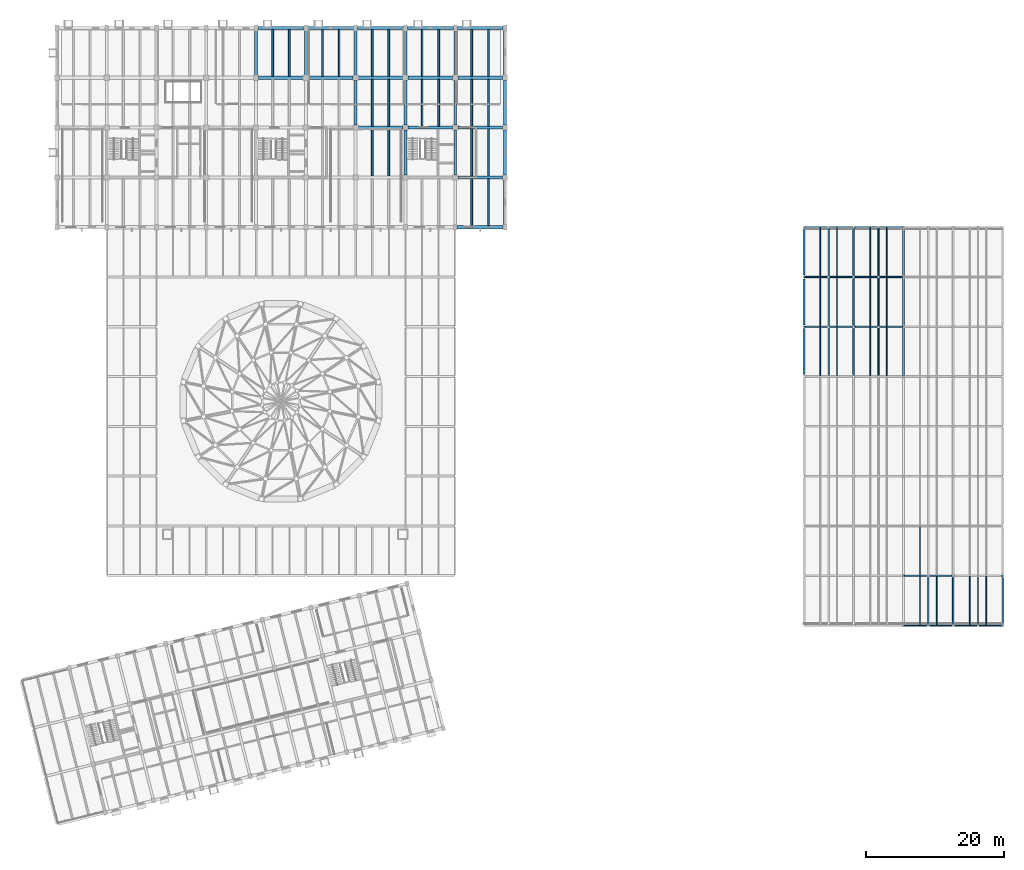
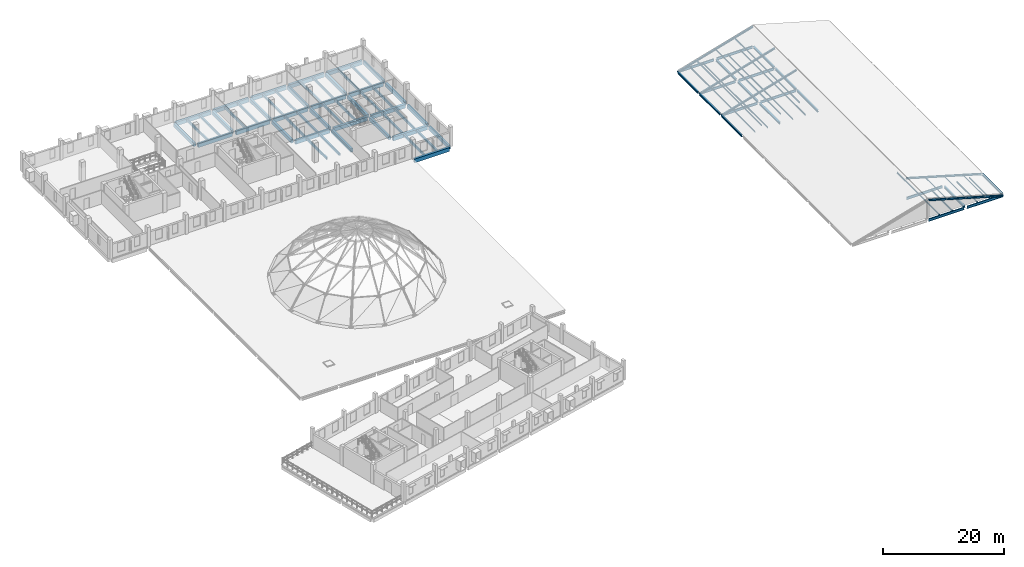
# One storey, part 12 of 32: 88 beams, 17 members.
"""IFC4 building model written with IfcOpenShell, lengths in metres."""

from ifc_helpers import new_model, si_unit, direction, frame, origin, origin_2d, place, context, subcontext, project, spatial, rectangle, hollow_rectangle, i_section, extrude, material, material_profile, profile_set, type_object, element, save


model = new_model("IFC4")

# Units and contexts
model_context = context("Model", 3, precision=1e-05, world=origin(), true_north=direction((0.0, 1.0)))
body_context = subcontext(model_context, "Body", "Model", "MODEL_VIEW")
ifc_project = project(units=[si_unit("LENGTHUNIT", "METRE"), si_unit("AREAUNIT", "SQUARE_METRE"), si_unit("VOLUMEUNIT", "CUBIC_METRE"), si_unit("PLANEANGLEUNIT", "RADIAN"), si_unit("MASSUNIT", "GRAM", prefix="KILO")], contexts=[model_context])

# Site, building, storey
site_placement = place(None, origin())
site = spatial("IfcSite", under=ifc_project, at=site_placement, CompositionType="ELEMENT")
building_placement = place(site_placement, origin())
building = spatial("IfcBuilding", under=site, at=building_placement, Name="Qiaolan Assembly House", CompositionType="ELEMENT")
storey_placement = place(building_placement, frame((0.0, 0.0, 18.60009765625)))
storey = spatial("IfcBuildingStorey", under=building, at=storey_placement, Name="L04", CompositionType="ELEMENT", Elevation=18.60009765625)

# Beams
ifc_material_1 = material(Name="Concrete C40/50", Category="concrete")
ifc_material_profile_1 = material_profile(ifc_material_1, rectangle(XDim=0.409912109375, YDim=0.7099609375, at=origin_2d()), Name="RCB 410x710")
ifc_profile_set_1 = profile_set([ifc_material_profile_1], Name="Concrete C40/50")
beam_type_1 = type_object("IfcBeamType", Name="BM-RC-410x710", PredefinedType="BEAM", material=ifc_profile_set_1)
for number, where, z_axis, x_axis, name in (
    (1, (64.800048828125, 108.364990234375, -0.585205078125), (0.0, 1.0, 0.0), (-1.0, 0.0, 0.0), "GB-17 beam BMY-NW-L04-04-03"),
    (2, (72.0, 108.364990234375, -0.585205078125), (0.0, 1.0, 0.0), (-1.0, 0.0, 0.0), "GB-17 beam BMY-NW-L04-05-03"),
):
    element("IfcBeam", number, at=place(storey_placement, frame(where, z_axis=z_axis, x_axis=x_axis)), inside=storey, type_object=beam_type_1, Name=name, PredefinedType="BEAM", context=body_context, shape_type="SweptSolid", body=[
        extrude(rectangle(XDim=0.409912109375, YDim=0.7099609375, at=origin_2d()), origin(), (0.0, 0.0, 1.0), 6.56494140625),
    ])
beam_1_placement = place(storey_placement, frame((79.199951171875, 101.1650390625, -0.585205078125), z_axis=(0.0, 1.0, 0.0), x_axis=(-1.0, 0.0, 0.0)))
element("IfcBeam", 3, at=beam_1_placement, inside=storey, type_object=beam_type_1, Name="GB-17 beam BMY-NW-L04-06-02", PredefinedType="BEAM", context=body_context, shape_type="SweptSolid", body=[
    extrude(rectangle(XDim=0.409912109375, YDim=0.7099609375, at=origin_2d()), origin(), (0.0, 0.0, 1.0), 6.469970703125),
])
beam_2_placement = place(storey_placement, frame((79.199951171875, 108.364990234375, -0.585205078125), z_axis=(0.0, 1.0, 0.0), x_axis=(-1.0, 0.0, 0.0)))
element("IfcBeam", 4, at=beam_2_placement, inside=storey, type_object=beam_type_1, Name="GB-17 beam BMY-NW-L04-06-03", PredefinedType="BEAM", context=body_context, shape_type="SweptSolid", body=[
    extrude(rectangle(XDim=0.409912109375, YDim=0.7099609375, at=origin_2d()), origin(), (0.0, 0.0, 1.0), 6.56494140625),
])
for number, where, z_axis, x_axis, name in (
    (5, (86.39990234375, 93.965087890625, -0.585205078125), (0.0, 1.0, 0.0), (-1.0, 0.0, 0.0), "GB-17 beam BMY-NW-L04-07-01"),
    (6, (86.39990234375, 101.1650390625, -0.585205078125), (0.0, 1.0, 0.0), (-1.0, 0.0, 0.0), "GB-17 beam BMY-NW-L04-07-02"),
):
    element("IfcBeam", number, at=place(storey_placement, frame(where, z_axis=z_axis, x_axis=x_axis)), inside=storey, type_object=beam_type_1, Name=name, PredefinedType="BEAM", context=body_context, shape_type="SweptSolid", body=[
        extrude(rectangle(XDim=0.409912109375, YDim=0.7099609375, at=origin_2d()), origin(), (0.0, 0.0, 1.0), 6.469970703125),
    ])
beam_3_placement = place(storey_placement, frame((86.39990234375, 108.364990234375, -0.585205078125), z_axis=(0.0, 1.0, 0.0), x_axis=(-1.0, 0.0, 0.0)))
element("IfcBeam", 7, at=beam_3_placement, inside=storey, type_object=beam_type_1, Name="GB-17 beam BMY-NW-L04-07-03", PredefinedType="BEAM", context=body_context, shape_type="SweptSolid", body=[
    extrude(rectangle(XDim=0.409912109375, YDim=0.7099609375, at=origin_2d()), origin(), (0.0, 0.0, 1.0), 6.56494140625),
])
for number, where, z_axis, x_axis, name in (
    (8, (93.60009765625, 93.965087890625, -0.585205078125), (0.0, 1.0, 0.0), (-1.0, 0.0, 0.0), "GB-17 beam BMY-NW-L04-08-01"),
    (9, (93.60009765625, 101.1650390625, -0.585205078125), (0.0, 1.0, 0.0), (-1.0, 0.0, 0.0), "GB-17 beam BMY-NW-L04-08-02"),
):
    element("IfcBeam", number, at=place(storey_placement, frame(where, z_axis=z_axis, x_axis=x_axis)), inside=storey, type_object=beam_type_1, Name=name, PredefinedType="BEAM", context=body_context, shape_type="SweptSolid", body=[
        extrude(rectangle(XDim=0.409912109375, YDim=0.7099609375, at=origin_2d()), origin(), (0.0, 0.0, 1.0), 6.469970703125),
    ])
beam_4_placement = place(storey_placement, frame((93.60009765625, 108.364990234375, -0.585205078125), z_axis=(0.0, 1.0, 0.0), x_axis=(-1.0, 0.0, 0.0)))
element("IfcBeam", 10, at=beam_4_placement, inside=storey, type_object=beam_type_1, Name="GB-17 beam BMY-NW-L04-08-03", PredefinedType="BEAM", context=body_context, shape_type="SweptSolid", body=[
    extrude(rectangle(XDim=0.409912109375, YDim=0.7099609375, at=origin_2d()), origin(), (0.0, 0.0, 1.0), 6.56494140625),
])
beam_5_placement = place(storey_placement, frame((100.800048828125, 86.669921875, -0.585205078125), z_axis=(0.0, 1.0, 0.0), x_axis=(-1.0, 0.0, 0.0)))
element("IfcBeam", 11, at=beam_5_placement, inside=storey, type_object=beam_type_1, Name="GB-17 beam BMY-NW-L04-09-00", PredefinedType="BEAM", context=body_context, shape_type="SweptSolid", body=[
    extrude(rectangle(XDim=0.409912109375, YDim=0.7099609375, at=origin_2d()), origin(), (0.0, 0.0, 1.0), 6.565185546875),
])
for number, where, z_axis, x_axis, name in (
    (12, (100.800048828125, 93.965087890625, -0.585205078125), (0.0, 1.0, 0.0), (-1.0, 0.0, 0.0), "GB-17 beam BMY-NW-L04-09-01"),
    (13, (100.800048828125, 101.1650390625, -0.585205078125), (0.0, 1.0, 0.0), (-1.0, 0.0, 0.0), "GB-17 beam BMY-NW-L04-09-02"),
):
    element("IfcBeam", number, at=place(storey_placement, frame(where, z_axis=z_axis, x_axis=x_axis)), inside=storey, type_object=beam_type_1, Name=name, PredefinedType="BEAM", context=body_context, shape_type="SweptSolid", body=[
        extrude(rectangle(XDim=0.409912109375, YDim=0.7099609375, at=origin_2d()), origin(), (0.0, 0.0, 1.0), 6.469970703125),
    ])
beam_6_placement = place(storey_placement, frame((100.800048828125, 108.364990234375, -0.585205078125), z_axis=(0.0, 1.0, 0.0), x_axis=(-1.0, 0.0, 0.0)))
element("IfcBeam", 14, at=beam_6_placement, inside=storey, type_object=beam_type_1, Name="GB-17 beam BMY-NW-L04-09-03", PredefinedType="BEAM", context=body_context, shape_type="SweptSolid", body=[
    extrude(rectangle(XDim=0.409912109375, YDim=0.7099609375, at=origin_2d()), origin(), (0.0, 0.0, 1.0), 6.56494140625),
])
ifc_material_profile_2 = material_profile(ifc_material_1, rectangle(XDim=0.4599609375, YDim=0.760009765625, at=origin_2d()), Name="RCB 460x760")
ifc_profile_set_2 = profile_set([ifc_material_profile_2], Name="Concrete C40/50")
beam_type_2 = type_object("IfcBeamType", Name="BM-RC-460x760", PredefinedType="BEAM", material=ifc_profile_set_2)
beam_7_placement = place(storey_placement, frame((93.8701171875, 86.39990234375, -0.610107421875), z_axis=(1.0, 0.0, 0.0), x_axis=(0.0, 1.0, 0.0)))
element("IfcBeam", 15, at=beam_7_placement, inside=storey, type_object=beam_type_2, Name="GB-15 beam BMX-NW-L04-08-00", PredefinedType="BEAM", context=body_context, shape_type="SweptSolid", body=[
    extrude(rectangle(XDim=0.4599609375, YDim=0.760009765625, at=origin_2d()), origin(), (0.0, 0.0, 1.0), 6.659912109375),
])
for number, where, z_axis, x_axis, name in (
    (16, (93.965087890625, 93.60009765625, -0.610107421875), (1.0, 0.0, 0.0), (0.0, 1.0, 0.0), "GB-15 beam BMX-NW-L04-08-01"),
    (17, (79.56494140625, 100.800048828125, -0.610107421875), (1.0, 0.0, 0.0), (0.0, 1.0, 0.0), "GB-15 beam BMX-NW-L04-06-02"),
):
    element("IfcBeam", number, at=place(storey_placement, frame(where, z_axis=z_axis, x_axis=x_axis)), inside=storey, type_object=beam_type_2, Name=name, PredefinedType="BEAM", context=body_context, shape_type="SweptSolid", body=[
        extrude(rectangle(XDim=0.4599609375, YDim=0.760009765625, at=origin_2d()), origin(), (0.0, 0.0, 1.0), 6.469970703125),
    ])
beam_8_placement = place(storey_placement, frame((86.764892578125, 100.800048828125, -0.610107421875), z_axis=(1.0, 0.0, 0.0), x_axis=(0.0, 1.0, 0.0)))
element("IfcBeam", 18, at=beam_8_placement, inside=storey, type_object=beam_type_2, Name="GB-15 beam BMX-NW-L04-07-02", PredefinedType="BEAM", context=body_context, shape_type="SweptSolid", body=[
    extrude(rectangle(XDim=0.4599609375, YDim=0.760009765625, at=origin_2d()), origin(), (0.0, 0.0, 1.0), 6.47021484375),
])
for number, where, z_axis, x_axis, name in (
    (19, (93.965087890625, 100.800048828125, -0.610107421875), (1.0, 0.0, 0.0), (0.0, 1.0, 0.0), "GB-15 beam BMX-NW-L04-08-02"),
    (20, (65.1650390625, 108.0, -0.610107421875), (1.0, 0.0, 0.0), (0.0, 1.0, 0.0), "GB-15 beam BMX-NW-L04-04-03"),
    (21, (72.364990234375, 108.0, -0.610107421875), (1.0, 0.0, 0.0), (0.0, 1.0, 0.0), "GB-15 beam BMX-NW-L04-05-03"),
    (22, (79.56494140625, 108.0, -0.610107421875), (1.0, 0.0, 0.0), (0.0, 1.0, 0.0), "GB-15 beam BMX-NW-L04-06-03"),
):
    element("IfcBeam", number, at=place(storey_placement, frame(where, z_axis=z_axis, x_axis=x_axis)), inside=storey, type_object=beam_type_2, Name=name, PredefinedType="BEAM", context=body_context, shape_type="SweptSolid", body=[
        extrude(rectangle(XDim=0.4599609375, YDim=0.760009765625, at=origin_2d()), origin(), (0.0, 0.0, 1.0), 6.469970703125),
    ])
beam_9_placement = place(storey_placement, frame((86.764892578125, 108.0, -0.610107421875), z_axis=(1.0, 0.0, 0.0), x_axis=(0.0, 1.0, 0.0)))
element("IfcBeam", 23, at=beam_9_placement, inside=storey, type_object=beam_type_2, Name="GB-15 beam BMX-NW-L04-07-03", PredefinedType="BEAM", context=body_context, shape_type="SweptSolid", body=[
    extrude(rectangle(XDim=0.4599609375, YDim=0.760009765625, at=origin_2d()), origin(), (0.0, 0.0, 1.0), 6.47021484375),
])
beam_10_placement = place(storey_placement, frame((93.965087890625, 108.0, -0.610107421875), z_axis=(1.0, 0.0, 0.0), x_axis=(0.0, 1.0, 0.0)))
element("IfcBeam", 24, at=beam_10_placement, inside=storey, type_object=beam_type_2, Name="GB-15 beam BMX-NW-L04-08-03", PredefinedType="BEAM", context=body_context, shape_type="SweptSolid", body=[
    extrude(rectangle(XDim=0.4599609375, YDim=0.760009765625, at=origin_2d()), origin(), (0.0, 0.0, 1.0), 6.469970703125),
])
for number, where, z_axis, x_axis, name in (
    (25, (65.070068359375, 115.199951171875, -0.610107421875), (1.0, 0.0, 0.0), (0.0, 1.0, 0.0), "GB-15 beam BMX-NW-L04-04-04"),
    (26, (72.27001953125, 115.199951171875, -0.610107421875), (1.0, 0.0, 0.0), (0.0, 1.0, 0.0), "GB-15 beam BMX-NW-L04-05-04"),
    (27, (79.469970703125, 115.199951171875, -0.610107421875), (1.0, 0.0, 0.0), (0.0, 1.0, 0.0), "GB-15 beam BMX-NW-L04-06-04"),
):
    element("IfcBeam", number, at=place(storey_placement, frame(where, z_axis=z_axis, x_axis=x_axis)), inside=storey, type_object=beam_type_2, Name=name, PredefinedType="BEAM", context=body_context, shape_type="SweptSolid", body=[
        extrude(rectangle(XDim=0.4599609375, YDim=0.760009765625, at=origin_2d()), origin(), (0.0, 0.0, 1.0), 6.659912109375),
    ])
beam_11_placement = place(storey_placement, frame((86.669921875, 115.199951171875, -0.610107421875), z_axis=(1.0, 0.0, 0.0), x_axis=(0.0, 1.0, 0.0)))
element("IfcBeam", 28, at=beam_11_placement, inside=storey, type_object=beam_type_2, Name="GB-15 beam BMX-NW-L04-07-04", PredefinedType="BEAM", context=body_context, shape_type="SweptSolid", body=[
    extrude(rectangle(XDim=0.4599609375, YDim=0.760009765625, at=origin_2d()), origin(), (0.0, 0.0, 1.0), 6.66015625),
])
beam_12_placement = place(storey_placement, frame((93.8701171875, 115.199951171875, -0.610107421875), z_axis=(1.0, 0.0, 0.0), x_axis=(0.0, 1.0, 0.0)))
element("IfcBeam", 29, at=beam_12_placement, inside=storey, type_object=beam_type_2, Name="GB-15 beam BMX-NW-L04-08-04", PredefinedType="BEAM", context=body_context, shape_type="SweptSolid", body=[
    extrude(rectangle(XDim=0.4599609375, YDim=0.760009765625, at=origin_2d()), origin(), (0.0, 0.0, 1.0), 6.659912109375),
])
ifc_material_2 = material(Name="Steel Q355B", Category="steel")
ifc_material_profile_3 = material_profile(ifc_material_2, i_section(OverallWidth=0.300048828125, OverallDepth=0.389892578125, WebThickness=0.010009765625, FlangeThickness=0.01611328125, FilletRadius=0.01806640625, at=origin_2d()), Name="HM 390x300x10x16")
ifc_profile_set_3 = profile_set([ifc_material_profile_3], Name="Steel Q355B")
beam_type_3 = type_object("IfcBeamType", Name="BM-STL-HM390", PredefinedType="BEAM", material=ifc_profile_set_3)
for number, where, z_axis, x_axis, name in (
    (30, (144.0, 65.06494140625, -0.295166015625), (0.0, 1.0, 0.0), (-1.0, 0.0, 0.0), "SB-08 beam BMY-LBTIE-L04-00-05"),
    (31, (144.0, 72.264892578125, -0.295166015625), (0.0, 1.0, 0.0), (-1.0, 0.0, 0.0), "SB-08 beam BMY-LBTIE-L04-00-06"),
):
    element("IfcBeam", number, at=place(storey_placement, frame(where, z_axis=z_axis, x_axis=x_axis)), inside=storey, type_object=beam_type_3, Name=name, PredefinedType="BEAM", context=body_context, shape_type="SweptSolid", body=[
        extrude(i_section(OverallWidth=0.300048828125, OverallDepth=0.389892578125, WebThickness=0.010009765625, FlangeThickness=0.01611328125, FilletRadius=0.01806640625, at=origin_2d()), origin(), (0.0, 0.0, 1.0), 6.670166015625),
    ])
beam_13_placement = place(storey_placement, frame((144.0, 79.465087890625, -0.295166015625), z_axis=(0.0, 1.0, 0.0), x_axis=(-1.0, 0.0, 0.0)))
element("IfcBeam", 32, at=beam_13_placement, inside=storey, type_object=beam_type_3, Name="SB-08 beam BMY-LBTIE-L04-00-07", PredefinedType="BEAM", context=body_context, shape_type="SweptSolid", body=[
    extrude(i_section(OverallWidth=0.300048828125, OverallDepth=0.389892578125, WebThickness=0.010009765625, FlangeThickness=0.01611328125, FilletRadius=0.01806640625, at=origin_2d()), origin(), (0.0, 0.0, 1.0), 6.669921875),
])
for number, where, z_axis, x_axis, name in (
    (33, (151.199951171875, 65.06494140625, -0.295166015625), (0.0, 1.0, 0.0), (-1.0, 0.0, 0.0), "SB-08 beam BMY-LBTIE-L04-01-05"),
    (34, (151.199951171875, 72.264892578125, -0.295166015625), (0.0, 1.0, 0.0), (-1.0, 0.0, 0.0), "SB-08 beam BMY-LBTIE-L04-01-06"),
):
    element("IfcBeam", number, at=place(storey_placement, frame(where, z_axis=z_axis, x_axis=x_axis)), inside=storey, type_object=beam_type_3, Name=name, PredefinedType="BEAM", context=body_context, shape_type="SweptSolid", body=[
        extrude(i_section(OverallWidth=0.300048828125, OverallDepth=0.389892578125, WebThickness=0.010009765625, FlangeThickness=0.01611328125, FilletRadius=0.01806640625, at=origin_2d()), origin(), (0.0, 0.0, 1.0), 6.670166015625),
    ])
beam_14_placement = place(storey_placement, frame((151.199951171875, 79.465087890625, -0.295166015625), z_axis=(0.0, 1.0, 0.0), x_axis=(-1.0, 0.0, 0.0)))
element("IfcBeam", 35, at=beam_14_placement, inside=storey, type_object=beam_type_3, Name="SB-08 beam BMY-LBTIE-L04-01-07", PredefinedType="BEAM", context=body_context, shape_type="SweptSolid", body=[
    extrude(i_section(OverallWidth=0.300048828125, OverallDepth=0.389892578125, WebThickness=0.010009765625, FlangeThickness=0.01611328125, FilletRadius=0.01806640625, at=origin_2d()), origin(), (0.0, 0.0, 1.0), 6.669921875),
])
for number, where, z_axis, x_axis, name in (
    (36, (158.39990234375, 64.93994140625, -0.295166015625), (0.0, 1.0, 0.0), (-1.0, 0.0, 0.0), "SB-08 beam BMY-LBTIE-L04-02-05"),
    (37, (158.39990234375, 72.139892578125, -0.295166015625), (0.0, 1.0, 0.0), (-1.0, 0.0, 0.0), "SB-08 beam BMY-LBTIE-L04-02-06"),
):
    element("IfcBeam", number, at=place(storey_placement, frame(where, z_axis=z_axis, x_axis=x_axis)), inside=storey, type_object=beam_type_3, Name=name, PredefinedType="BEAM", context=body_context, shape_type="SweptSolid", body=[
        extrude(i_section(OverallWidth=0.300048828125, OverallDepth=0.389892578125, WebThickness=0.010009765625, FlangeThickness=0.01611328125, FilletRadius=0.01806640625, at=origin_2d()), origin(), (0.0, 0.0, 1.0), 6.920166015625),
    ])
beam_15_placement = place(storey_placement, frame((158.39990234375, 79.340087890625, -0.295166015625), z_axis=(0.0, 1.0, 0.0), x_axis=(-1.0, 0.0, 0.0)))
element("IfcBeam", 38, at=beam_15_placement, inside=storey, type_object=beam_type_3, Name="SB-08 beam BMY-LBTIE-L04-02-07", PredefinedType="BEAM", context=body_context, shape_type="SweptSolid", body=[
    extrude(i_section(OverallWidth=0.300048828125, OverallDepth=0.389892578125, WebThickness=0.010009765625, FlangeThickness=0.01611328125, FilletRadius=0.01806640625, at=origin_2d()), origin(), (0.0, 0.0, 1.0), 6.919921875),
])
for number, where, z_axis, x_axis, name in (
    (39, (165.60009765625, 29.06494140625, -0.295166015625), (0.0, 1.0, 0.0), (-1.0, 0.0, 0.0), "SB-08 beam BMY-LBTIE-L04-03-00"),
    (40, (172.800048828125, 29.06494140625, -0.295166015625), (0.0, 1.0, 0.0), (-1.0, 0.0, 0.0), "SB-08 beam BMY-LBTIE-L04-04-00"),
):
    element("IfcBeam", number, at=place(storey_placement, frame(where, z_axis=z_axis, x_axis=x_axis)), inside=storey, type_object=beam_type_3, Name=name, PredefinedType="BEAM", context=body_context, shape_type="SweptSolid", body=[
        extrude(i_section(OverallWidth=0.300048828125, OverallDepth=0.389892578125, WebThickness=0.010009765625, FlangeThickness=0.01611328125, FilletRadius=0.01806640625, at=origin_2d()), origin(), (0.0, 0.0, 1.0), 6.670166015625),
    ])
ifc_material_profile_4 = material_profile(ifc_material_2, i_section(OverallWidth=0.199951171875, OverallDepth=0.5, WebThickness=0.010009765625, FlangeThickness=0.01611328125, FilletRadius=0.01806640625, at=origin_2d()), Name="HN 500x200x10x16")
ifc_profile_set_4 = profile_set([ifc_material_profile_4], Name="Steel Q355B")
beam_type_4 = type_object("IfcBeamType", Name="BM-STL-HN500", PredefinedType="BEAM", material=ifc_profile_set_4)
beam_16_placement = place(storey_placement, frame((158.5400390625, 28.800048828125, -0.35009765625), z_axis=(1.0, 0.0, 0.0), x_axis=(0.0, 1.0, 0.0)))
element("IfcBeam", 41, at=beam_16_placement, inside=storey, type_object=beam_type_4, Name="SB-05 beam BMX-LBTIE-L04-02-00", PredefinedType="BEAM", context=body_context, shape_type="SweptSolid", body=[
    extrude(i_section(OverallWidth=0.199951171875, OverallDepth=0.5, WebThickness=0.010009765625, FlangeThickness=0.01611328125, FilletRadius=0.01806640625, at=origin_2d()), origin(), (0.0, 0.0, 1.0), 6.794921875),
])
beam_17_placement = place(storey_placement, frame((165.864990234375, 28.800048828125, -0.35009765625), z_axis=(1.0, 0.0, 0.0), x_axis=(0.0, 1.0, 0.0)))
element("IfcBeam", 42, at=beam_17_placement, inside=storey, type_object=beam_type_4, Name="SB-05 beam BMX-LBTIE-L04-03-00", PredefinedType="BEAM", context=body_context, shape_type="SweptSolid", body=[
    extrude(i_section(OverallWidth=0.199951171875, OverallDepth=0.5, WebThickness=0.010009765625, FlangeThickness=0.01611328125, FilletRadius=0.01806640625, at=origin_2d()), origin(), (0.0, 0.0, 1.0), 6.669921875),
])
beam_18_placement = place(storey_placement, frame((158.5400390625, 36.0, -0.35009765625), z_axis=(1.0, 0.0, 0.0), x_axis=(0.0, 1.0, 0.0)))
element("IfcBeam", 43, at=beam_18_placement, inside=storey, type_object=beam_type_4, Name="SB-05 beam BMX-LBTIE-L04-02-01", PredefinedType="BEAM", context=body_context, shape_type="SweptSolid", body=[
    extrude(i_section(OverallWidth=0.199951171875, OverallDepth=0.5, WebThickness=0.010009765625, FlangeThickness=0.01611328125, FilletRadius=0.01806640625, at=origin_2d()), origin(), (0.0, 0.0, 1.0), 6.794921875),
])
beam_19_placement = place(storey_placement, frame((144.264892578125, 72.0, -0.35009765625), z_axis=(1.0, 0.0, 0.0), x_axis=(0.0, 1.0, 0.0)))
element("IfcBeam", 44, at=beam_19_placement, inside=storey, type_object=beam_type_4, Name="SB-05 beam BMX-LBTIE-L04-00-06", PredefinedType="BEAM", context=body_context, shape_type="SweptSolid", body=[
    extrude(i_section(OverallWidth=0.199951171875, OverallDepth=0.5, WebThickness=0.010009765625, FlangeThickness=0.01611328125, FilletRadius=0.01806640625, at=origin_2d()), origin(), (0.0, 0.0, 1.0), 6.670166015625),
])
beam_20_placement = place(storey_placement, frame((151.465087890625, 72.0, -0.35009765625), z_axis=(1.0, 0.0, 0.0), x_axis=(0.0, 1.0, 0.0)))
element("IfcBeam", 45, at=beam_20_placement, inside=storey, type_object=beam_type_4, Name="SB-05 beam BMX-LBTIE-L04-01-06", PredefinedType="BEAM", context=body_context, shape_type="SweptSolid", body=[
    extrude(i_section(OverallWidth=0.199951171875, OverallDepth=0.5, WebThickness=0.010009765625, FlangeThickness=0.01611328125, FilletRadius=0.01806640625, at=origin_2d()), origin(), (0.0, 0.0, 1.0), 6.794921875),
])
beam_21_placement = place(storey_placement, frame((144.264892578125, 79.199951171875, -0.35009765625), z_axis=(1.0, 0.0, 0.0), x_axis=(0.0, 1.0, 0.0)))
element("IfcBeam", 46, at=beam_21_placement, inside=storey, type_object=beam_type_4, Name="SB-05 beam BMX-LBTIE-L04-00-07", PredefinedType="BEAM", context=body_context, shape_type="SweptSolid", body=[
    extrude(i_section(OverallWidth=0.199951171875, OverallDepth=0.5, WebThickness=0.010009765625, FlangeThickness=0.01611328125, FilletRadius=0.01806640625, at=origin_2d()), origin(), (0.0, 0.0, 1.0), 6.670166015625),
])
beam_22_placement = place(storey_placement, frame((151.465087890625, 79.199951171875, -0.35009765625), z_axis=(1.0, 0.0, 0.0), x_axis=(0.0, 1.0, 0.0)))
element("IfcBeam", 47, at=beam_22_placement, inside=storey, type_object=beam_type_4, Name="SB-05 beam BMX-LBTIE-L04-01-07", PredefinedType="BEAM", context=body_context, shape_type="SweptSolid", body=[
    extrude(i_section(OverallWidth=0.199951171875, OverallDepth=0.5, WebThickness=0.010009765625, FlangeThickness=0.01611328125, FilletRadius=0.01806640625, at=origin_2d()), origin(), (0.0, 0.0, 1.0), 6.794921875),
])
beam_23_placement = place(storey_placement, frame((144.264892578125, 86.39990234375, -0.35009765625), z_axis=(1.0, 0.0, 0.0), x_axis=(0.0, 1.0, 0.0)))
element("IfcBeam", 48, at=beam_23_placement, inside=storey, type_object=beam_type_4, Name="SB-05 beam BMX-LBTIE-L04-00-08", PredefinedType="BEAM", context=body_context, shape_type="SweptSolid", body=[
    extrude(i_section(OverallWidth=0.199951171875, OverallDepth=0.5, WebThickness=0.010009765625, FlangeThickness=0.01611328125, FilletRadius=0.01806640625, at=origin_2d()), origin(), (0.0, 0.0, 1.0), 6.670166015625),
])
beam_24_placement = place(storey_placement, frame((151.465087890625, 86.39990234375, -0.35009765625), z_axis=(1.0, 0.0, 0.0), x_axis=(0.0, 1.0, 0.0)))
element("IfcBeam", 49, at=beam_24_placement, inside=storey, type_object=beam_type_4, Name="SB-05 beam BMX-LBTIE-L04-01-08", PredefinedType="BEAM", context=body_context, shape_type="SweptSolid", body=[
    extrude(i_section(OverallWidth=0.199951171875, OverallDepth=0.5, WebThickness=0.010009765625, FlangeThickness=0.01611328125, FilletRadius=0.01806640625, at=origin_2d()), origin(), (0.0, 0.0, 1.0), 6.794921875),
])
ifc_material_profile_5 = material_profile(ifc_material_1, rectangle(XDim=0.25, YDim=0.449951171875, at=origin_2d()), Name="RCB 250x450")
ifc_profile_set_5 = profile_set([ifc_material_profile_5], Name="Concrete C40/50")
beam_type_5 = type_object("IfcBeamType", Name="JST-RC-250x450", PredefinedType="JOIST", material=ifc_profile_set_5)
for number, where, z_axis, x_axis, name in (
    (50, (67.199951171875, 108.22412109375, -0.455078125), (0.0, 1.0, 0.0), (-1.0, 0.0, 0.0), "RJ-02 beam JST-NW-L04-04-03-1"),
    (51, (69.60009765625, 108.22412109375, -0.455078125), (0.0, 1.0, 0.0), (-1.0, 0.0, 0.0), "RJ-02 beam JST-NW-L04-04-03-2"),
    (52, (74.39990234375, 108.22412109375, -0.455078125), (0.0, 1.0, 0.0), (-1.0, 0.0, 0.0), "RJ-02 beam JST-NW-L04-05-03-1"),
    (53, (76.800048828125, 108.22412109375, -0.455078125), (0.0, 1.0, 0.0), (-1.0, 0.0, 0.0), "RJ-02 beam JST-NW-L04-05-03-2"),
    (54, (81.60009765625, 93.823974609375, -0.455078125), (0.0, 1.0, 0.0), (-1.0, 0.0, 0.0), "RJ-02 beam JST-NW-L04-06-01-1"),
    (55, (84.0, 93.823974609375, -0.455078125), (0.0, 1.0, 0.0), (-1.0, 0.0, 0.0), "RJ-02 beam JST-NW-L04-06-01-2"),
    (56, (81.60009765625, 101.02392578125, -0.455078125), (0.0, 1.0, 0.0), (-1.0, 0.0, 0.0), "RJ-02 beam JST-NW-L04-06-02-1"),
    (57, (84.0, 101.02392578125, -0.455078125), (0.0, 1.0, 0.0), (-1.0, 0.0, 0.0), "RJ-02 beam JST-NW-L04-06-02-2"),
    (58, (81.60009765625, 108.22412109375, -0.455078125), (0.0, 1.0, 0.0), (-1.0, 0.0, 0.0), "RJ-02 beam JST-NW-L04-06-03-1"),
    (59, (84.0, 108.22412109375, -0.455078125), (0.0, 1.0, 0.0), (-1.0, 0.0, 0.0), "RJ-02 beam JST-NW-L04-06-03-2"),
    (60, (88.800048828125, 101.02392578125, -0.455078125), (0.0, 1.0, 0.0), (-1.0, 0.0, 0.0), "RJ-02 beam JST-NW-L04-07-02-1"),
    (61, (91.199951171875, 101.02392578125, -0.455078125), (0.0, 1.0, 0.0), (-1.0, 0.0, 0.0), "RJ-02 beam JST-NW-L04-07-02-2"),
    (62, (88.800048828125, 108.22412109375, -0.455078125), (0.0, 1.0, 0.0), (-1.0, 0.0, 0.0), "RJ-02 beam JST-NW-L04-07-03-1"),
    (63, (91.199951171875, 108.22412109375, -0.455078125), (0.0, 1.0, 0.0), (-1.0, 0.0, 0.0), "RJ-02 beam JST-NW-L04-07-03-2"),
    (64, (96.0, 86.6240234375, -0.455078125), (0.0, 1.0, 0.0), (-1.0, 0.0, 0.0), "RJ-02 beam JST-NW-L04-08-00-1"),
    (65, (98.39990234375, 86.6240234375, -0.455078125), (0.0, 1.0, 0.0), (-1.0, 0.0, 0.0), "RJ-02 beam JST-NW-L04-08-00-2"),
    (66, (96.0, 93.823974609375, -0.455078125), (0.0, 1.0, 0.0), (-1.0, 0.0, 0.0), "RJ-02 beam JST-NW-L04-08-01-1"),
    (67, (98.39990234375, 93.823974609375, -0.455078125), (0.0, 1.0, 0.0), (-1.0, 0.0, 0.0), "RJ-02 beam JST-NW-L04-08-01-2"),
    (68, (96.0, 101.02392578125, -0.455078125), (0.0, 1.0, 0.0), (-1.0, 0.0, 0.0), "RJ-02 beam JST-NW-L04-08-02-1"),
    (69, (98.39990234375, 101.02392578125, -0.455078125), (0.0, 1.0, 0.0), (-1.0, 0.0, 0.0), "RJ-02 beam JST-NW-L04-08-02-2"),
    (70, (96.0, 108.22412109375, -0.455078125), (0.0, 1.0, 0.0), (-1.0, 0.0, 0.0), "RJ-02 beam JST-NW-L04-08-03-1"),
    (71, (98.39990234375, 108.22412109375, -0.455078125), (0.0, 1.0, 0.0), (-1.0, 0.0, 0.0), "RJ-02 beam JST-NW-L04-08-03-2"),
):
    element("IfcBeam", number, at=place(storey_placement, frame(where, z_axis=z_axis, x_axis=x_axis)), inside=storey, type_object=beam_type_5, Name=name, PredefinedType="JOIST", context=body_context, shape_type="SweptSolid", body=[
        extrude(rectangle(XDim=0.25, YDim=0.449951171875, at=origin_2d()), origin(), (0.0, 0.0, 1.0), 6.751953125),
    ])
ifc_material_profile_6 = material_profile(ifc_material_2, i_section(OverallWidth=0.125, OverallDepth=0.25, WebThickness=0.006103515625, FlangeThickness=0.009033203125, FilletRadius=0.011962890625, at=origin_2d()), Name="HN 250x125x6x9")
ifc_profile_set_6 = profile_set([ifc_material_profile_6], Name="Steel Q355B")
beam_type_6 = type_object("IfcBeamType", Name="JST-STL-HN250", PredefinedType="JOIST", material=ifc_profile_set_6)
for number, where, z_axis, x_axis, name in (
    (72, (146.39990234375, 64.89404296875, -0.22509765625), (0.0, 1.0, 0.0), (-1.0, 0.0, 0.0), "SJ-03 beam JST-LBTIE-L04-00-05-1"),
    (73, (148.800048828125, 64.89404296875, -0.22509765625), (0.0, 1.0, 0.0), (-1.0, 0.0, 0.0), "SJ-03 beam JST-LBTIE-L04-00-05-2"),
    (74, (146.39990234375, 72.093994140625, -0.22509765625), (0.0, 1.0, 0.0), (-1.0, 0.0, 0.0), "SJ-03 beam JST-LBTIE-L04-00-06-1"),
    (75, (148.800048828125, 72.093994140625, -0.22509765625), (0.0, 1.0, 0.0), (-1.0, 0.0, 0.0), "SJ-03 beam JST-LBTIE-L04-00-06-2"),
    (76, (146.39990234375, 79.2939453125, -0.22509765625), (0.0, 1.0, 0.0), (-1.0, 0.0, 0.0), "SJ-03 beam JST-LBTIE-L04-00-07-1"),
    (77, (148.800048828125, 79.2939453125, -0.22509765625), (0.0, 1.0, 0.0), (-1.0, 0.0, 0.0), "SJ-03 beam JST-LBTIE-L04-00-07-2"),
    (78, (153.60009765625, 64.89404296875, -0.22509765625), (0.0, 1.0, 0.0), (-1.0, 0.0, 0.0), "SJ-03 beam JST-LBTIE-L04-01-05-1"),
    (79, (156.0, 64.89404296875, -0.22509765625), (0.0, 1.0, 0.0), (-1.0, 0.0, 0.0), "SJ-03 beam JST-LBTIE-L04-01-05-2"),
    (80, (153.60009765625, 72.093994140625, -0.22509765625), (0.0, 1.0, 0.0), (-1.0, 0.0, 0.0), "SJ-03 beam JST-LBTIE-L04-01-06-1"),
    (81, (156.0, 72.093994140625, -0.22509765625), (0.0, 1.0, 0.0), (-1.0, 0.0, 0.0), "SJ-03 beam JST-LBTIE-L04-01-06-2"),
    (82, (153.60009765625, 79.2939453125, -0.22509765625), (0.0, 1.0, 0.0), (-1.0, 0.0, 0.0), "SJ-03 beam JST-LBTIE-L04-01-07-1"),
    (83, (156.0, 79.2939453125, -0.22509765625), (0.0, 1.0, 0.0), (-1.0, 0.0, 0.0), "SJ-03 beam JST-LBTIE-L04-01-07-2"),
    (84, (160.800048828125, 28.89404296875, -0.22509765625), (0.0, 1.0, 0.0), (-1.0, 0.0, 0.0), "SJ-03 beam JST-LBTIE-L04-02-00-1"),
    (85, (163.199951171875, 28.89404296875, -0.22509765625), (0.0, 1.0, 0.0), (-1.0, 0.0, 0.0), "SJ-03 beam JST-LBTIE-L04-02-00-2"),
    (86, (160.800048828125, 36.093994140625, -0.22509765625), (0.0, 1.0, 0.0), (-1.0, 0.0, 0.0), "SJ-03 beam JST-LBTIE-L04-02-01-1"),
    (87, (168.0, 28.89404296875, -0.22509765625), (0.0, 1.0, 0.0), (-1.0, 0.0, 0.0), "SJ-03 beam JST-LBTIE-L04-03-00-1"),
    (88, (170.39990234375, 28.89404296875, -0.22509765625), (0.0, 1.0, 0.0), (-1.0, 0.0, 0.0), "SJ-03 beam JST-LBTIE-L04-03-00-2"),
):
    element("IfcBeam", number, at=place(storey_placement, frame(where, z_axis=z_axis, x_axis=x_axis)), inside=storey, type_object=beam_type_6, Name=name, PredefinedType="JOIST", context=body_context, shape_type="SweptSolid", body=[
        extrude(i_section(OverallWidth=0.125, OverallDepth=0.25, WebThickness=0.006103515625, FlangeThickness=0.009033203125, FilletRadius=0.011962890625, at=origin_2d()), origin(), (0.0, 0.0, 1.0), 7.011962890625),
    ])

# Members
ifc_material_profile_7 = material_profile(ifc_material_2, i_section(OverallWidth=0.25, OverallDepth=0.340087890625, WebThickness=0.009033203125, FlangeThickness=0.013916015625, FilletRadius=0.01611328125, at=origin_2d()), Name="HM 340x250x9x14-RF")
ifc_profile_set_7 = profile_set([ifc_material_profile_7], Name="Steel Q355B")
member_type_1 = type_object("IfcMemberType", Name="MBR-HIP-RAFTER-HM340", PredefinedType="RAFTER", material=ifc_profile_set_7)
for number, where, z_axis, x_axis, name in (
    (89, (158.39990234375, 28.800048828125, 3.7568359375), (0.96037716028, 0.0, -0.278703623968), (0.0, 1.0, 0.0), "RF-01 library pitched rafter E-28"),
    (90, (158.39990234375, 36.0, 3.7568359375), (0.96037716028, 0.0, -0.278703623968), (0.0, 1.0, 0.0), "RF-01 library pitched rafter E-36"),
    (91, (144.0, 72.0, -0.422119140625), (0.960375895513, 0.0, 0.278707982156), (0.0, 1.0, 0.0), "RF-01 library pitched rafter W-72"),
    (92, (144.0, 79.199951171875, -0.422119140625), (0.960375895513, 0.0, 0.278707982156), (0.0, 1.0, 0.0), "RF-01 library pitched rafter W-79"),
    (93, (144.0, 86.39990234375, -0.422119140625), (0.960375895513, 0.0, 0.278707982156), (0.0, 1.0, 0.0), "RF-01 library pitched rafter W-86"),
):
    element("IfcMember", number, at=place(storey_placement, frame(where, z_axis=z_axis, x_axis=x_axis)), inside=storey, type_object=member_type_1, Name=name, PredefinedType="RAFTER", context=body_context, shape_type="SweptSolid", body=[
        extrude(i_section(OverallWidth=0.25, OverallDepth=0.340087890625, WebThickness=0.009033203125, FlangeThickness=0.013916015625, FilletRadius=0.01611328125, at=origin_2d()), origin(), (0.0, 0.0, 1.0), 14.994140625),
    ])
ifc_material_profile_8 = material_profile(ifc_material_2, hollow_rectangle(XDim=0.1201171875, YDim=0.219970703125, WallThickness=0.008056640625, InnerFilletRadius=0.008056640625, OuterFilletRadius=0.01611328125, at=origin_2d()), Name="RHS 220x120x8")
ifc_profile_set_8 = profile_set([ifc_material_profile_8], Name="Steel Q355B")
member_type_2 = type_object("IfcMemberType", Name="MBR-PURLIN-RHS220", PredefinedType="PURLIN", material=ifc_profile_set_8)
for number, where, z_axis, x_axis, name in (
    (94, (162.0, 28.800048828125, 2.7646484375), (0.0, 1.0, 0.0), (-1.0, 0.0, 0.0), "PR-02 library roof purlin E"),
    (95, (165.60009765625, 28.800048828125, 1.732421875), (0.0, 1.0, 0.0), (-1.0, 0.0, 0.0), "PR-02 library roof purlin E"),
    (96, (169.199951171875, 28.800048828125, 0.7001953125), (0.0, 1.0, 0.0), (-1.0, 0.0, 0.0), "PR-02 library roof purlin E"),
):
    element("IfcMember", number, at=place(storey_placement, frame(where, z_axis=z_axis, x_axis=x_axis)), inside=storey, type_object=member_type_2, Name=name, PredefinedType="PURLIN", context=body_context, shape_type="SweptSolid", body=[
        extrude(hollow_rectangle(XDim=0.1201171875, YDim=0.219970703125, WallThickness=0.008056640625, InnerFilletRadius=0.008056640625, OuterFilletRadius=0.01611328125, at=origin_2d()), origin(), (0.0, 0.0, 1.0), 7.199951171875),
    ])
ifc_material_profile_9 = material_profile(ifc_material_2, hollow_rectangle(XDim=0.14990234375, YDim=0.25, WallThickness=0.008056640625, InnerFilletRadius=0.008056640625, OuterFilletRadius=0.01611328125, at=origin_2d()), Name="RHS 250x150x8")
ifc_profile_set_9 = profile_set([ifc_material_profile_9], Name="Steel Q355B")
member_type_3 = type_object("IfcMemberType", Name="MBR-PURLIN-RHS250", PredefinedType="PURLIN", material=ifc_profile_set_9)
for number, where, z_axis, x_axis, name in (
    (97, (147.60009765625, 64.800048828125, 0.7001953125), (0.0, 1.0, 0.0), (-1.0, 0.0, 0.0), "PR-01 library roof purlin W"),
    (98, (147.60009765625, 72.0, 0.7001953125), (0.0, 1.0, 0.0), (-1.0, 0.0, 0.0), "PR-01 library roof purlin W"),
    (99, (147.60009765625, 79.199951171875, 0.7001953125), (0.0, 1.0, 0.0), (-1.0, 0.0, 0.0), "PR-01 library roof purlin W"),
    (100, (151.199951171875, 64.800048828125, 1.732421875), (0.0, 1.0, 0.0), (-1.0, 0.0, 0.0), "PR-01 library roof purlin W"),
    (101, (151.199951171875, 72.0, 1.732421875), (0.0, 1.0, 0.0), (-1.0, 0.0, 0.0), "PR-01 library roof purlin W"),
    (102, (151.199951171875, 79.199951171875, 1.732421875), (0.0, 1.0, 0.0), (-1.0, 0.0, 0.0), "PR-01 library roof purlin W"),
    (103, (154.800048828125, 64.800048828125, 2.7646484375), (0.0, 1.0, 0.0), (-1.0, 0.0, 0.0), "PR-01 library roof purlin W"),
    (104, (154.800048828125, 72.0, 2.7646484375), (0.0, 1.0, 0.0), (-1.0, 0.0, 0.0), "PR-01 library roof purlin W"),
    (105, (154.800048828125, 79.199951171875, 2.7646484375), (0.0, 1.0, 0.0), (-1.0, 0.0, 0.0), "PR-01 library roof purlin W"),
):
    element("IfcMember", number, at=place(storey_placement, frame(where, z_axis=z_axis, x_axis=x_axis)), inside=storey, type_object=member_type_3, Name=name, PredefinedType="PURLIN", context=body_context, shape_type="SweptSolid", body=[
        extrude(hollow_rectangle(XDim=0.14990234375, YDim=0.25, WallThickness=0.008056640625, InnerFilletRadius=0.008056640625, OuterFilletRadius=0.01611328125, at=origin_2d()), origin(), (0.0, 0.0, 1.0), 7.199951171875),
    ])

save(model, "model.ifc")
